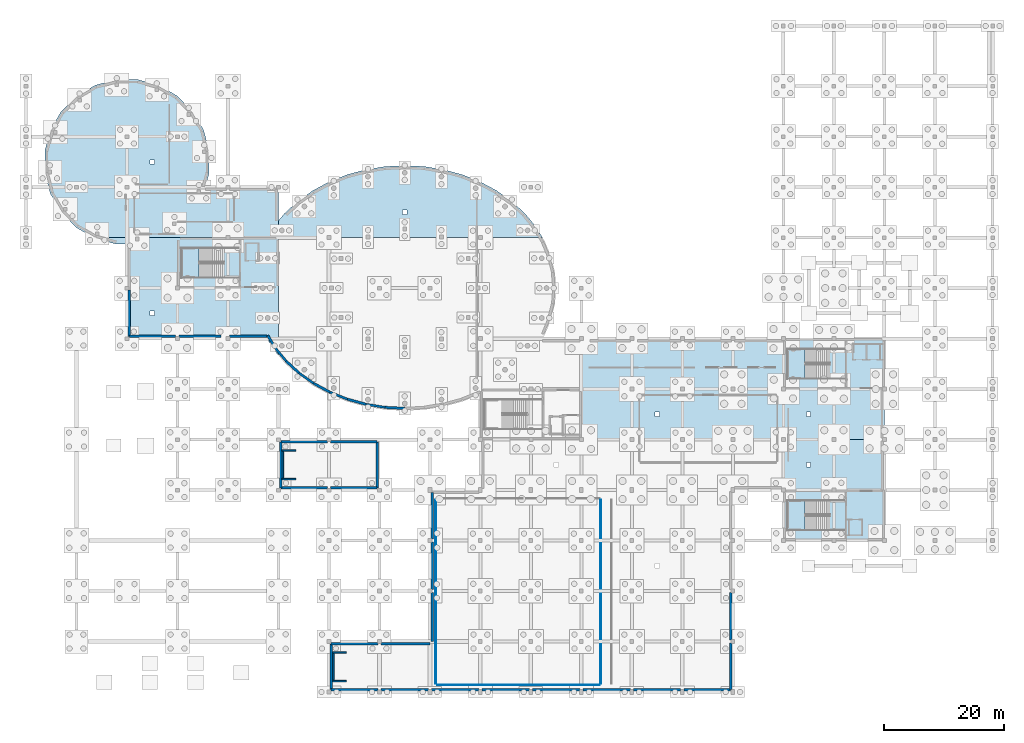
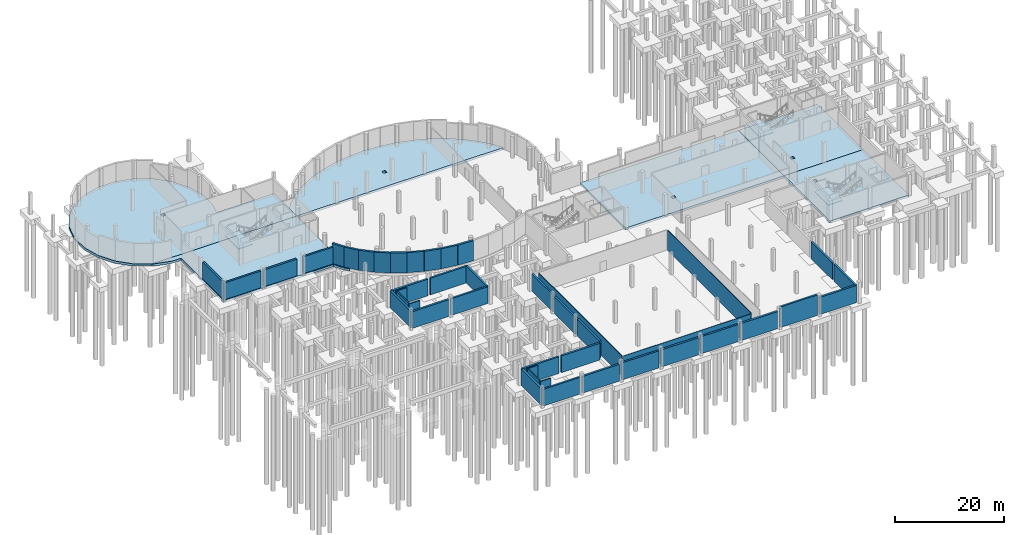
# One storey, part 13 of 24: 44 walls, 9 slabs, 3 elements without a shape of their own.
"""IFC4 building model written with IfcOpenShell, lengths in metres."""

from ifc_helpers import new_model, si_unit, derived_unit, direction, frame, frame_2d, origin, place, context, subcontext, project, spatial, polyline, rectangle, outline, extrude, material, layer, layer_set, type_object, element, aggregate, save


model = new_model("IFC4")

# Units and contexts
model_context = context("Model", 3, precision=1e-05, world=origin(), true_north=direction((0.0, 1.0)))
body_context = subcontext(model_context, "Body", "Model", "MODEL_VIEW")
ifc_project = project(units=[si_unit("LENGTHUNIT", "METRE"), si_unit("AREAUNIT", "SQUARE_METRE"), si_unit("VOLUMEUNIT", "CUBIC_METRE"), si_unit("PLANEANGLEUNIT", "RADIAN"), si_unit("MASSUNIT", "GRAM", prefix="KILO"), derived_unit("THERMALTRANSMITTANCEUNIT", [(si_unit("POWERUNIT", "WATT"), 1), (si_unit("LENGTHUNIT", "METRE"), -2), (si_unit("THERMODYNAMICTEMPERATUREUNIT", "KELVIN"), -1)])], contexts=[model_context])

# Site, building, storey
site_placement = place(None, origin())
site = spatial("IfcSite", under=ifc_project, at=site_placement, CompositionType="ELEMENT")
building_placement = place(site_placement, origin())
building = spatial("IfcBuilding", under=site, at=building_placement, Name="Elbkamm Science Centre", CompositionType="ELEMENT")
storey_placement = place(building_placement, frame((0.0, 0.0, -4.800048828125)))
storey = spatial("IfcBuildingStorey", under=building, at=storey_placement, Name="B01", CompositionType="ELEMENT", Elevation=-4.800048828125)

# Slabs
ifc_material_1 = material(Name="Waterproof concrete C35/45", Category="concrete")
ifc_layer_1 = layer(ifc_material_1, 0.5)
ifc_layer_set_1 = layer_set([ifc_layer_1], Name="Waterproof concrete C35/45")
slab_type_1 = type_object("IfcSlabType", Name="SLAB-BASE-500", PredefinedType="BASESLAB", material=ifc_layer_set_1)
slab_1_placement = place(storey_placement, frame((0.0, 0.0, -0.5)))
element("IfcSlab", 1, at=slab_1_placement, inside=storey, type_object=slab_type_1, Name="B01 Structural Slab WM-01", PredefinedType="BASESLAB", context=body_context, shape_type="SweptSolid", body=[
    extrude(outline(polyline([(40.07958984375, 58.800048828125), (16.800048828125, 58.800048828125), (16.800048828125, 74.51806640625), (14.998779296875, 74.51806640625), (11.51904296875, 75.450439453125), (11.260009765625, 75.60009765625), (42.0, 75.60009765625), (42.0, 56.001953125), (41.17626953125, 57.0), (40.07958984375, 58.800048828125)]), holes=[polyline([(21.35009765625, 63.35009765625), (20.64990234375, 63.35009765625), (20.64990234375, 62.64990234375), (21.35009765625, 62.64990234375), (21.35009765625, 63.35009765625)])]), origin(), (0.0, 0.0, 1.0), 0.5),
])
slab_2_placement = place(storey_placement, frame((0.0, 0.0, -0.5)))
element("IfcSlab", 2, at=slab_2_placement, inside=storey, type_object=slab_type_1, Name="B01 Structural Slab WN-02", PredefinedType="BASESLAB", context=body_context, shape_type="SweptSolid", body=[
    extrude(outline(polyline([(5.851806640625, 79.799072265625), (4.050537109375, 82.9189453125), (3.1181640625, 86.398681640625), (3.1181640625, 90.001220703125), (4.050537109375, 93.48095703125), (5.851806640625, 96.600830078125), (8.399169921875, 99.148193359375), (11.51904296875, 100.949462890625), (14.998779296875, 101.8818359375), (18.601318359375, 101.8818359375), (22.0810546875, 100.949462890625), (25.200927734375, 99.148193359375), (27.748291015625, 96.600830078125), (29.549560546875, 93.48095703125), (30.48193359375, 90.001220703125), (30.48193359375, 86.398681640625), (29.839111328125, 84.0), (42.0, 84.0), (42.0, 78.398193359375), (42.0, 75.60009765625), (11.260009765625, 75.60009765625), (8.399169921875, 77.251708984375), (5.851806640625, 79.799072265625)]), holes=[polyline([(21.35009765625, 88.550048828125), (20.64990234375, 88.550048828125), (20.64990234375, 87.85009765625), (21.35009765625, 87.85009765625), (21.35009765625, 88.550048828125)])]), origin(), (0.0, 0.0, 1.0), 0.5),
])
slab_3_placement = place(storey_placement, frame((0.0, 0.0, -0.5)))
element("IfcSlab", 3, at=slab_3_placement, inside=storey, type_object=slab_type_1, Name="B01 Structural Slab CN-06", PredefinedType="BASESLAB", context=body_context, shape_type="SweptSolid", body=[
    extrude(outline(polyline([(45.180908203125, 81.625), (47.6591796875, 83.384521484375), (50.39990234375, 84.866943359375), (53.3564453125, 86.047119140625), (56.477783203125, 86.90478515625), (59.710693359375, 87.425537109375), (63.0, 87.60009765625), (66.289306640625, 87.425537109375), (69.522216796875, 86.90478515625), (72.6435546875, 86.047119140625), (75.60009765625, 84.866943359375), (78.3408203125, 83.384521484375), (80.819091796875, 81.625), (82.992431640625, 79.61865234375), (84.82373046875, 77.39990234375), (85.92041015625, 75.60009765625), (42.0, 75.60009765625), (42.0, 78.398193359375), (43.007568359375, 79.61865234375), (45.180908203125, 81.625)]), holes=[polyline([(63.35009765625, 80.14990234375), (62.64990234375, 80.14990234375), (62.64990234375, 79.449951171875), (63.35009765625, 79.449951171875), (63.35009765625, 80.14990234375)])]), origin(), (0.0, 0.0, 1.0), 0.5),
])
slab_4_placement = place(storey_placement, frame((0.0, 0.0, -0.5)))
element("IfcSlab", 4, at=slab_4_placement, inside=storey, type_object=slab_type_1, Name="B01 Structural Slab MM-08", PredefinedType="BASESLAB", context=body_context, shape_type="SweptSolid", body=[
    extrude(outline(polyline([(125.97509765625, 42.0), (92.39990234375, 42.0), (92.39990234375, 58.800048828125), (125.97509765625, 58.800048828125), (125.97509765625, 42.0)]), holes=[polyline([(105.35009765625, 46.550048828125), (104.64990234375, 46.550048828125), (104.64990234375, 45.85009765625), (105.35009765625, 45.85009765625), (105.35009765625, 46.550048828125)])]), origin(), (0.0, 0.0, 1.0), 0.5),
])
slab_5_placement = place(storey_placement, frame((0.0, 0.0, -0.5)))
element("IfcSlab", 5, at=slab_5_placement, inside=storey, type_object=slab_type_1, Name="B01 Structural Slab E1S-09", PredefinedType="BASESLAB", context=body_context, shape_type="SweptSolid", body=[
    extrude(outline(polyline([(142.800048828125, 25.199951171875), (126.02490234375, 25.199951171875), (126.02490234375, 42.0), (142.800048828125, 42.0), (142.800048828125, 33.60009765625), (142.800048828125, 25.199951171875)]), holes=[polyline([(130.550048828125, 38.14990234375), (129.85009765625, 38.14990234375), (129.85009765625, 37.449951171875), (130.550048828125, 37.449951171875), (130.550048828125, 38.14990234375)])]), origin(), (0.0, 0.0, 1.0), 0.5),
])
slab_6_placement = place(storey_placement, frame((0.0, 0.0, -0.5)))
element("IfcSlab", 6, at=slab_6_placement, inside=storey, type_object=slab_type_1, Name="B01 Structural Slab E1M-10", PredefinedType="BASESLAB", context=body_context, shape_type="SweptSolid", body=[
    extrude(outline(polyline([(142.800048828125, 42.0), (126.02490234375, 42.0), (126.02490234375, 58.800048828125), (142.800048828125, 58.800048828125), (142.800048828125, 50.39990234375), (142.800048828125, 42.0)]), holes=[polyline([(130.550048828125, 46.550048828125), (129.85009765625, 46.550048828125), (129.85009765625, 45.85009765625), (130.550048828125, 45.85009765625), (130.550048828125, 46.550048828125)])]), origin(), (0.0, 0.0, 1.0), 0.5),
])

# Stair, slab
ifc_material_2 = material(Name="Reinforced concrete C40/50", Category="concrete")
stair_type = type_object("IfcStairType", Name="ST-TWO-28R-242", PredefinedType="USERDEFINED", material=ifc_material_2)
stair_1_placement = place(storey_placement, origin())
stair_1 = element("IfcStair", 7, at=stair_1_placement, inside=storey, type_object=stair_type, Name="B01 Core C1 Northwest Planetarium and Exhibition Core Escape Stair", ObjectType="TWO_RETURN_STAIR", PredefinedType="USERDEFINED")
ifc_layer_2 = layer(ifc_material_2, 0.199951171875)
ifc_layer_set_2 = layer_set([ifc_layer_2], Name="Reinforced concrete C40/50")
slab_type_2 = type_object("IfcSlabType", Name="SLAB-LAND-200", PredefinedType="LANDING", material=ifc_layer_set_2)
slab_7_placement = place(storey_placement, frame((0.0, 0.0, 2.199951171875)))
slab_7 = element("IfcSlab", 8, at=slab_7_placement, type_object=slab_type_2, Name="ST-C1 landing 1", PredefinedType="LANDING", context=body_context, shape_type="SweptSolid", body=[
    extrude(outline(polyline([(28.820068359375, 73.919921875), (25.800048828125, 73.919921875), (25.800048828125, 68.8798828125), (28.820068359375, 68.8798828125), (28.820068359375, 73.919921875)])), origin(), (0.0, 0.0, 1.0), 0.2001953125),
])
aggregate(stair_1, [slab_7])

stair_2_placement = place(storey_placement, origin())
stair_2 = element("IfcStair", 9, at=stair_2_placement, inside=storey, type_object=stair_type, Name="B01 Core C3 Northeast Laboratories and Observatory Core Escape Stair", ObjectType="TWO_RETURN_STAIR", PredefinedType="USERDEFINED")
slab_8_placement = place(storey_placement, frame((0.0, 0.0, 2.199951171875)))
slab_8 = element("IfcSlab", 10, at=slab_8_placement, type_object=slab_type_2, Name="ST-C3 landing 1", PredefinedType="LANDING", context=body_context, shape_type="SweptSolid", body=[
    extrude(outline(polyline([(129.6201171875, 57.1201171875), (126.60009765625, 57.1201171875), (126.60009765625, 52.080078125), (129.6201171875, 52.080078125), (129.6201171875, 57.1201171875)])), origin(), (0.0, 0.0, 1.0), 0.2001953125),
])
aggregate(stair_2, [slab_8])

stair_3_placement = place(storey_placement, origin())
stair_3 = element("IfcStair", 11, at=stair_3_placement, inside=storey, type_object=stair_type, Name="B01 Core C4 Southeast Workshops and Library Core Escape Stair", ObjectType="TWO_RETURN_STAIR", PredefinedType="USERDEFINED")
slab_9_placement = place(storey_placement, frame((0.0, 0.0, 2.199951171875)))
slab_9 = element("IfcSlab", 12, at=slab_9_placement, type_object=slab_type_2, Name="ST-C4 landing 1", PredefinedType="LANDING", context=body_context, shape_type="SweptSolid", body=[
    extrude(outline(polyline([(129.6201171875, 31.919921875), (126.60009765625, 31.919921875), (126.60009765625, 26.8798828125), (129.6201171875, 26.8798828125), (129.6201171875, 31.919921875)])), origin(), (0.0, 0.0, 1.0), 0.2001953125),
])
aggregate(stair_3, [slab_9])

# Walls
ifc_layer_3 = layer(ifc_material_2, 0.25)
ifc_layer_set_3 = layer_set([ifc_layer_3], Name="Reinforced concrete C40/50")
wall_type_1 = type_object("IfcWallType", Name="WL-CORE-250", PredefinedType="SHEAR", material=ifc_layer_set_3)
wall_1_placement = place(storey_placement, frame((42.739990234375, 35.6201171875, 0.0), z_axis=(0.0, 0.0, 1.0), x_axis=(0.0, 1.0, 0.0)))
element("IfcWall", 13, at=wall_1_placement, inside=storey, type_object=wall_type_1, Name="B01 ST-C5 Substructure Bearing Wall W", PredefinedType="SHEAR", context=body_context, shape_type="SweptSolid", body=[
    extrude(rectangle(XDim=4.35986328125, YDim=0.25, at=frame_2d((2.179931640625, 0.0))), origin(), (0.0, 0.0, 1.0), 4.5),
])
for number, where, z_axis, x_axis, name in (
    (14, (42.5849609375, 35.419921875, 0.0), (0.0, 0.0, 1.0), (1.0, 0.0, 0.0), "B01 ST-C5 Substructure Bearing Wall S"),
    (15, (42.5849609375, 40.179931640625, 0.0), (0.0, 0.0, 1.0), (1.0, 0.0, 0.0), "B01 ST-C5 Substructure Bearing Wall N"),
):
    element("IfcWall", number, at=place(storey_placement, frame(where, z_axis=z_axis, x_axis=x_axis)), inside=storey, type_object=wall_type_1, Name=name, PredefinedType="SHEAR", context=body_context, shape_type="SweptSolid", body=[
        extrude(rectangle(XDim=2.294921875, YDim=0.25, at=frame_2d((1.1474609375, 0.0))), origin(), (0.0, 0.0, 1.0), 4.5),
    ])
wall_2_placement = place(storey_placement, frame((51.139892578125, 2.02001953125, 0.0), z_axis=(0.0, 0.0, 1.0), x_axis=(0.0, 1.0, 0.0)))
element("IfcWall", 16, at=wall_2_placement, inside=storey, type_object=wall_type_1, Name="B01 ST-C6 Substructure Bearing Wall W", PredefinedType="SHEAR", context=body_context, shape_type="SweptSolid", body=[
    extrude(rectangle(XDim=4.35986328125, YDim=0.25, at=frame_2d((2.179931640625, 0.0))), origin(), (0.0, 0.0, 1.0), 4.5),
])
for number, where, z_axis, x_axis, name in (
    (17, (51.0048828125, 1.820068359375, 0.0), (0.0, 0.0, 1.0), (1.0, 0.0, 0.0), "B01 ST-C6 Substructure Bearing Wall S"),
    (18, (51.0048828125, 6.580078125, 0.0), (0.0, 0.0, 1.0), (1.0, 0.0, 0.0), "B01 ST-C6 Substructure Bearing Wall N"),
):
    element("IfcWall", number, at=place(storey_placement, frame(where, z_axis=z_axis, x_axis=x_axis)), inside=storey, type_object=wall_type_1, Name=name, PredefinedType="SHEAR", context=body_context, shape_type="SweptSolid", body=[
        extrude(rectangle(XDim=2.275146484375, YDim=0.25, at=frame_2d((1.1376953125, 0.0))), origin(), (0.0, 0.0, 1.0), 4.5),
    ])
ifc_material_3 = material(Name="Drywall service partition", Category="gypsum")
ifc_layer_4 = layer(ifc_material_3, 0.10009765625)
ifc_layer_set_4 = layer_set([ifc_layer_4], Name="Drywall service partition")
wall_type_2 = type_object("IfcWallType", Name="WL-PART-100", PredefinedType="PARTITIONING", material=ifc_layer_set_4)
wall_3_placement = place(storey_placement, frame((95.419921875, 1.199951171875, 0.0), z_axis=(0.0, 0.0, 1.0), x_axis=(-1.0, 0.0, 0.0)))
element("IfcWall", 19, at=wall_3_placement, inside=storey, type_object=wall_type_2, Name="B01 Heavy Exhibit Fabrication Workshop Partition 0003", PredefinedType="PARTITIONING", context=body_context, shape_type="SweptSolid", body=[
    extrude(rectangle(XDim=27.0400390625, YDim=0.10009765625, at=frame_2d((13.52001953125, 0.0))), origin(), (0.0, 0.0, 1.0), 4.5),
])
ifc_material_4 = material(Name="Lightweight metal-stud gypsum partition", Category="gypsum")
ifc_layer_5 = layer(ifc_material_4, 0.125)
ifc_layer_set_5 = layer_set([ifc_layer_5], Name="Lightweight metal-stud gypsum partition")
wall_type_3 = type_object("IfcWallType", Name="WL-PART-125", PredefinedType="PARTITIONING", material=ifc_layer_set_5)
wall_4_placement = place(storey_placement, frame((95.60009765625, 32.02001953125, 0.0), z_axis=(0.0, 0.0, 1.0), x_axis=(0.0, -1.0, 0.0)))
element("IfcWall", 20, at=wall_4_placement, inside=storey, type_object=wall_type_3, Name="B01 Heavy Exhibit Fabrication Workshop Partition 0002", PredefinedType="PARTITIONING", context=body_context, shape_type="SweptSolid", body=[
    extrude(rectangle(XDim=30.64013671875, YDim=0.125, at=frame_2d((15.320068359375, 0.0))), origin(), (0.0, 0.0, 1.0), 4.5),
])
ifc_material_5 = material(Name="Acoustic metal-stud gypsum partition", Category="gypsum")
ifc_layer_6 = layer(ifc_material_5, 0.159912109375)
ifc_layer_set_6 = layer_set([ifc_layer_6], Name="Acoustic metal-stud gypsum partition")
wall_type_4 = type_object("IfcWallType", Name="WL-PART-160", PredefinedType="PARTITIONING", material=ifc_layer_set_6)
wall_5_placement = place(storey_placement, frame((68.199951171875, 1.3798828125, 0.0), z_axis=(0.0, 0.0, 1.0), x_axis=(0.0, 1.0, 0.0)))
element("IfcWall", 21, at=wall_5_placement, inside=storey, type_object=wall_type_4, Name="B01 Heavy Exhibit Fabrication Workshop Partition 0004", PredefinedType="PARTITIONING", context=body_context, shape_type="SweptSolid", body=[
    extrude(rectangle(XDim=30.64013671875, YDim=0.159912109375, at=frame_2d((15.320068359375, 0.0))), origin(), (0.0, 0.0, 1.0), 4.5),
])
ifc_layer_7 = layer(ifc_material_1, 0.3798828125)
ifc_layer_set_7 = layer_set([ifc_layer_7], Name="Waterproof concrete C35/45")
wall_type_5 = type_object("IfcWallType", Name="WL-RET-380", PredefinedType="USERDEFINED", material=ifc_layer_set_7)
wall_6_placement = place(storey_placement, frame((67.580078125, 8.39990234375, 0.0), z_axis=(0.0, 0.0, 1.0), x_axis=(0.0, 1.0, 0.0)))
element("IfcWall", 22, at=wall_6_placement, inside=storey, type_object=wall_type_5, Name="B01 Exterior Wall 0001", ObjectType="RETAININGWALL", PredefinedType="USERDEFINED", context=body_context, shape_type="SweptSolid", body=[
    extrude(rectangle(XDim=8.160888671875, YDim=0.3798828125, at=frame_2d((4.08056640625, 0.0))), origin(), (0.0, 0.0, 1.0), 3.85009765625),
])
wall_7_placement = place(storey_placement, frame((67.580078125, 25.439208984375, 0.0), z_axis=(0.0, 0.0, 1.0), x_axis=(0.0, 1.0, 0.0)))
element("IfcWall", 23, at=wall_7_placement, inside=storey, type_object=wall_type_5, Name="B01 Exterior Wall 0003", ObjectType="RETAININGWALL", PredefinedType="USERDEFINED", context=body_context, shape_type="SweptSolid", body=[
    extrude(rectangle(XDim=7.78076171875, YDim=0.3798828125, at=frame_2d((3.890380859375, 0.0))), origin(), (0.0, 0.0, 1.0), 3.85009765625),
])
wall_8_placement = place(storey_placement, frame((59.751220703125, 47.352783203125, 0.0), z_axis=(0.0, 0.0, 1.0), x_axis=(-0.987278994565, 0.158997443034, 0.0)))
element("IfcWall", 24, at=wall_8_placement, inside=storey, type_object=wall_type_5, Name="B01 Exterior Wall 0011", ObjectType="RETAININGWALL", PredefinedType="USERDEFINED", context=body_context, shape_type="SweptSolid", body=[
    extrude(rectangle(XDim=3.233642578125, YDim=0.3798828125, at=frame_2d((1.61669921875, 0.0))), origin(), (0.0, 0.0, 1.0), 4.5),
])
wall_9_placement = place(storey_placement, frame((53.4775390625, 48.713623046875, 0.0), z_axis=(0.0, 0.0, 1.0), x_axis=(-0.928744558403, 0.370720305941, 0.0)))
element("IfcWall", 25, at=wall_9_placement, inside=storey, type_object=wall_type_5, Name="B01 Exterior Wall 0013", ObjectType="RETAININGWALL", PredefinedType="USERDEFINED", context=body_context, shape_type="SweptSolid", body=[
    extrude(rectangle(XDim=3.139892578125, YDim=0.3798828125, at=frame_2d((1.56982421875, 0.0))), origin(), (0.0, 0.0, 1.0), 4.5),
])
wall_10_placement = place(storey_placement, frame((47.8603515625, 51.3388671875, 0.0), z_axis=(0.0, 0.0, 1.0), x_axis=(-0.815422656684, 0.578866038879, 0.0)))
element("IfcWall", 26, at=wall_10_placement, inside=storey, type_object=wall_type_5, Name="B01 Exterior Wall 0015", ObjectType="RETAININGWALL", PredefinedType="USERDEFINED", context=body_context, shape_type="SweptSolid", body=[
    extrude(rectangle(XDim=2.991943359375, YDim=0.3798828125, at=frame_2d((1.49609375, 0.0))), origin(), (0.0, 0.0, 1.0), 4.5),
])
wall_11_placement = place(storey_placement, frame((43.2841796875, 55.043212890625, 0.0), z_axis=(0.0, 0.0, 1.0), x_axis=(-0.636588707479, 0.771203486448, 0.0)))
element("IfcWall", 27, at=wall_11_placement, inside=storey, type_object=wall_type_5, Name="B01 Exterior Wall 0017", ObjectType="RETAININGWALL", PredefinedType="USERDEFINED", context=body_context, shape_type="SweptSolid", body=[
    extrude(rectangle(XDim=2.82373046875, YDim=0.3798828125, at=frame_2d((1.411865234375, 0.0))), origin(), (0.0, 0.0, 1.0), 4.5),
])
wall_12_placement = place(storey_placement, frame((40.07958984375, 59.179931640625, 0.0), z_axis=(0.0, 0.0, 1.0), x_axis=(-1.0, 0.0, 0.0)))
element("IfcWall", 28, at=wall_12_placement, inside=storey, type_object=wall_type_5, Name="B01 Exterior Wall 0019", ObjectType="RETAININGWALL", PredefinedType="USERDEFINED", context=body_context, shape_type="SweptSolid", body=[
    extrude(rectangle(XDim=6.240478515625, YDim=0.3798828125, at=frame_2d((3.1201171875, 0.0))), origin(), (0.0, 0.0, 1.0), 3.75),
])
wall_13_placement = place(storey_placement, frame((24.847900390625, 59.179931640625, 0.0), z_axis=(0.0, 0.0, 1.0), x_axis=(-1.0, 0.0, 0.0)))
element("IfcWall", 29, at=wall_13_placement, inside=storey, type_object=wall_type_5, Name="B01 Exterior Wall 0021", ObjectType="RETAININGWALL", PredefinedType="USERDEFINED", context=body_context, shape_type="SweptSolid", body=[
    extrude(rectangle(XDim=7.66796875, YDim=0.3798828125, at=frame_2d((3.833984375, 0.0))), origin(), (0.0, 0.0, 1.0), 3.75),
])
wall_14_placement = place(storey_placement, frame((117.219970703125, 8.160888671875, 0.0), z_axis=(0.0, 0.0, 1.0), x_axis=(0.0, -1.0, 0.0)))
element("IfcWall", 30, at=wall_14_placement, inside=storey, type_object=wall_type_5, Name="B01 Exterior Wall 0079", ObjectType="RETAININGWALL", PredefinedType="USERDEFINED", context=body_context, shape_type="SweptSolid", body=[
    extrude(rectangle(XDim=7.781005859375, YDim=0.3798828125, at=frame_2d((3.890625, 0.0))), origin(), (0.0, 0.0, 1.0), 3.85009765625),
])
wall_15_placement = place(storey_placement, frame((108.9150390625, 0.3798828125, 0.0), z_axis=(0.0, 0.0, 1.0), x_axis=(-1.0, 0.0, 0.0)))
element("IfcWall", 31, at=wall_15_placement, inside=storey, type_object=wall_type_5, Name="B01 Exterior Wall 0081", ObjectType="RETAININGWALL", PredefinedType="USERDEFINED", context=body_context, shape_type="SweptSolid", body=[
    extrude(rectangle(XDim=7.8759765625, YDim=0.3798828125, at=frame_2d((3.93798828125, 0.0))), origin(), (0.0, 0.0, 1.0), 4.610107421875),
])
wall_16_placement = place(storey_placement, frame((92.160888671875, 0.3798828125, 0.0), z_axis=(0.0, 0.0, 1.0), x_axis=(-1.0, 0.0, 0.0)))
element("IfcWall", 32, at=wall_16_placement, inside=storey, type_object=wall_type_5, Name="B01 Exterior Wall 0083", ObjectType="RETAININGWALL", PredefinedType="USERDEFINED", context=body_context, shape_type="SweptSolid", body=[
    extrude(rectangle(XDim=7.921875, YDim=0.3798828125, at=frame_2d((3.9609375, 0.0))), origin(), (0.0, 0.0, 1.0), 3.85009765625),
])
wall_17_placement = place(storey_placement, frame((75.36083984375, 0.3798828125, 0.0), z_axis=(0.0, 0.0, 1.0), x_axis=(-1.0, 0.0, 0.0)))
element("IfcWall", 33, at=wall_17_placement, inside=storey, type_object=wall_type_5, Name="B01 Exterior Wall 0085", ObjectType="RETAININGWALL", PredefinedType="USERDEFINED", context=body_context, shape_type="SweptSolid", body=[
    extrude(rectangle(XDim=7.921630859375, YDim=0.3798828125, at=frame_2d((3.9609375, 0.0))), origin(), (0.0, 0.0, 1.0), 3.85009765625),
])
for number, where, z_axis, x_axis, name in (
    (34, (58.560791015625, 0.3798828125, 0.0), (0.0, 0.0, 1.0), (-1.0, 0.0, 0.0), "B01 Exterior Wall 0087"),
    (35, (50.780029296875, 8.02001953125, 0.0), (0.0, 0.0, 1.0), (1.0, 0.0, 0.0), "B01 Exterior Wall 0089"),
    (36, (58.419921875, 33.97998046875, 0.0), (0.0, 0.0, 1.0), (-1.0, 0.0, 0.0), "B01 Exterior Wall 0091"),
):
    element("IfcWall", number, at=place(storey_placement, frame(where, z_axis=z_axis, x_axis=x_axis)), inside=storey, type_object=wall_type_5, Name=name, ObjectType="RETAININGWALL", PredefinedType="USERDEFINED", context=body_context, shape_type="SweptSolid", body=[
        extrude(rectangle(XDim=7.78076171875, YDim=0.3798828125, at=frame_2d((3.890380859375, 0.0))), origin(), (0.0, 0.0, 1.0), 3.75),
    ])
wall_18_placement = place(storey_placement, frame((42.3798828125, 33.97998046875, 0.0), z_axis=(0.0, 0.0, 1.0), x_axis=(0.0, 1.0, 0.0)))
element("IfcWall", 37, at=wall_18_placement, inside=storey, type_object=wall_type_5, Name="B01 Exterior Wall 0093", ObjectType="RETAININGWALL", PredefinedType="USERDEFINED", context=body_context, shape_type="SweptSolid", body=[
    extrude(rectangle(XDim=7.64013671875, YDim=0.3798828125, at=frame_2d((3.820068359375, 0.0))), origin(), (0.0, 0.0, 1.0), 3.75),
])
wall_19_placement = place(storey_placement, frame((50.63916015625, 41.6201171875, 0.0), z_axis=(0.0, 0.0, 1.0), x_axis=(1.0, 0.0, 0.0)))
element("IfcWall", 38, at=wall_19_placement, inside=storey, type_object=wall_type_5, Name="B01 Exterior Wall 0095", ObjectType="RETAININGWALL", PredefinedType="USERDEFINED", context=body_context, shape_type="SweptSolid", body=[
    extrude(rectangle(XDim=7.78076171875, YDim=0.3798828125, at=frame_2d((3.890380859375, 0.0))), origin(), (0.0, 0.0, 1.0), 3.75),
])
ifc_layer_8 = layer(ifc_material_1, 0.419921875)
ifc_layer_set_8 = layer_set([ifc_layer_8], Name="Waterproof concrete C35/45")
wall_type_6 = type_object("IfcWallType", Name="WL-RET-420", PredefinedType="USERDEFINED", material=ifc_layer_set_8)
wall_20_placement = place(storey_placement, frame((67.580078125, 17.0390625, 0.0), z_axis=(0.0, 0.0, 1.0), x_axis=(0.0, 1.0, 0.0)))
element("IfcWall", 39, at=wall_20_placement, inside=storey, type_object=wall_type_6, Name="B01 Exterior Wall 0002", ObjectType="RETAININGWALL", PredefinedType="USERDEFINED", context=body_context, shape_type="SweptSolid", body=[
    extrude(rectangle(XDim=7.90771484375, YDim=0.419921875, at=frame_2d((3.953857421875, 0.0))), origin(), (0.0, 0.0, 1.0), 3.75),
])
wall_21_placement = place(storey_placement, frame((63.0, 47.180419921875, 0.0), z_axis=(0.0, 0.0, 1.0), x_axis=(-0.998595559221, 0.052980270896, 0.0)))
element("IfcWall", 40, at=wall_21_placement, inside=storey, type_object=wall_type_6, Name="B01 Exterior Wall 0010", ObjectType="RETAININGWALL", PredefinedType="USERDEFINED", context=body_context, shape_type="SweptSolid", body=[
    extrude(rectangle(XDim=3.25341796875, YDim=0.419921875, at=frame_2d((1.626708984375, 0.0))), origin(), (0.0, 0.0, 1.0), 4.5),
])
wall_22_placement = place(storey_placement, frame((56.55859375, 47.866943359375, 0.0), z_axis=(0.0, 0.0, 1.0), x_axis=(-0.964254212891, 0.264978891466, 0.0)))
element("IfcWall", 41, at=wall_22_placement, inside=storey, type_object=wall_type_6, Name="B01 Exterior Wall 0012", ObjectType="RETAININGWALL", PredefinedType="USERDEFINED", context=body_context, shape_type="SweptSolid", body=[
    extrude(rectangle(XDim=3.1953125, YDim=0.419921875, at=frame_2d((1.59765625, 0.0))), origin(), (0.0, 0.0, 1.0), 4.5),
])
wall_23_placement = place(storey_placement, frame((50.561279296875, 49.877685546875, 0.0), z_axis=(0.0, 0.0, 1.0), x_axis=(-0.879540173415, 0.47582463508, 0.0)))
element("IfcWall", 42, at=wall_23_placement, inside=storey, type_object=wall_type_6, Name="B01 Exterior Wall 0014", ObjectType="RETAININGWALL", PredefinedType="USERDEFINED", context=body_context, shape_type="SweptSolid", body=[
    extrude(rectangle(XDim=3.07080078125, YDim=0.419921875, at=frame_2d((1.535400390625, 0.0))), origin(), (0.0, 0.0, 1.0), 4.5),
])
wall_24_placement = place(storey_placement, frame((45.420654296875, 53.07080078125, 0.0), z_axis=(0.0, 0.0, 1.0), x_axis=(-0.734755157667, 0.678332409872, 0.0)))
element("IfcWall", 43, at=wall_24_placement, inside=storey, type_object=wall_type_6, Name="B01 Exterior Wall 0016", ObjectType="RETAININGWALL", PredefinedType="USERDEFINED", context=body_context, shape_type="SweptSolid", body=[
    extrude(rectangle(XDim=2.90771484375, YDim=0.419921875, at=frame_2d((1.453857421875, 0.0))), origin(), (0.0, 0.0, 1.0), 4.5),
])
wall_25_placement = place(storey_placement, frame((41.486572265625, 57.220947265625, 0.0), z_axis=(0.0, 0.0, 1.0), x_axis=(-0.520247454907, 0.854015565234, 0.0)))
element("IfcWall", 44, at=wall_25_placement, inside=storey, type_object=wall_type_6, Name="B01 Exterior Wall 0018", ObjectType="RETAININGWALL", PredefinedType="USERDEFINED", context=body_context, shape_type="SweptSolid", body=[
    extrude(rectangle(XDim=2.4482421875, YDim=0.419921875, at=frame_2d((1.22412109375, 0.0))), origin(), (0.0, 0.0, 1.0), 4.5),
])
wall_26_placement = place(storey_placement, frame((32.4462890625, 59.179931640625, 0.0), z_axis=(0.0, 0.0, 1.0), x_axis=(-1.0, 0.0, 0.0)))
element("IfcWall", 45, at=wall_26_placement, inside=storey, type_object=wall_type_6, Name="B01 Exterior Wall 0020", ObjectType="RETAININGWALL", PredefinedType="USERDEFINED", context=body_context, shape_type="SweptSolid", body=[
    extrude(rectangle(XDim=7.007080078125, YDim=0.419921875, at=frame_2d((3.50341796875, 0.0))), origin(), (0.0, 0.0, 1.0), 3.75),
])
wall_27_placement = place(storey_placement, frame((17.179931640625, 59.179931640625, 0.0), z_axis=(0.0, 0.0, 1.0), x_axis=(0.0, 1.0, 0.0)))
element("IfcWall", 46, at=wall_27_placement, inside=storey, type_object=wall_type_6, Name="B01 Exterior Wall 0022", ObjectType="RETAININGWALL", PredefinedType="USERDEFINED", context=body_context, shape_type="SweptSolid", body=[
    extrude(rectangle(XDim=7.669189453125, YDim=0.419921875, at=frame_2d((3.83447265625, 0.0))), origin(), (0.0, 0.0, 1.0), 3.75),
])
wall_28_placement = place(storey_placement, frame((117.219970703125, 16.560791015625, 0.0), z_axis=(0.0, 0.0, 1.0), x_axis=(0.0, -1.0, 0.0)))
element("IfcWall", 47, at=wall_28_placement, inside=storey, type_object=wall_type_6, Name="B01 Exterior Wall 0078", ObjectType="RETAININGWALL", PredefinedType="USERDEFINED", context=body_context, shape_type="SweptSolid", body=[
    extrude(rectangle(XDim=7.875732421875, YDim=0.419921875, at=frame_2d((3.93798828125, 0.0))), origin(), (0.0, 0.0, 1.0), 3.75),
])
wall_29_placement = place(storey_placement, frame((117.219970703125, 0.3798828125, 0.0), z_axis=(0.0, 0.0, 1.0), x_axis=(-1.0, 0.0, 0.0)))
element("IfcWall", 48, at=wall_29_placement, inside=storey, type_object=wall_type_6, Name="B01 Exterior Wall 0080", ObjectType="RETAININGWALL", PredefinedType="USERDEFINED", context=body_context, shape_type="SweptSolid", body=[
    extrude(rectangle(XDim=7.78076171875, YDim=0.419921875, at=frame_2d((3.890380859375, 0.0))), origin(), (0.0, 0.0, 1.0), 3.85009765625),
])
wall_30_placement = place(storey_placement, frame((100.560791015625, 0.3798828125, 0.0), z_axis=(0.0, 0.0, 1.0), x_axis=(-1.0, 0.0, 0.0)))
element("IfcWall", 49, at=wall_30_placement, inside=storey, type_object=wall_type_6, Name="B01 Exterior Wall 0082", ObjectType="RETAININGWALL", PredefinedType="USERDEFINED", context=body_context, shape_type="SweptSolid", body=[
    extrude(rectangle(XDim=7.921630859375, YDim=0.419921875, at=frame_2d((3.9609375, 0.0))), origin(), (0.0, 0.0, 1.0), 3.85009765625),
])
wall_31_placement = place(storey_placement, frame((83.760986328125, 0.3798828125, 0.0), z_axis=(0.0, 0.0, 1.0), x_axis=(-1.0, 0.0, 0.0)))
element("IfcWall", 50, at=wall_31_placement, inside=storey, type_object=wall_type_6, Name="B01 Exterior Wall 0084", ObjectType="RETAININGWALL", PredefinedType="USERDEFINED", context=body_context, shape_type="SweptSolid", body=[
    extrude(rectangle(XDim=7.921875, YDim=0.419921875, at=frame_2d((3.9609375, 0.0))), origin(), (0.0, 0.0, 1.0), 3.85009765625),
])
wall_32_placement = place(storey_placement, frame((66.9609375, 0.3798828125, 0.0), z_axis=(0.0, 0.0, 1.0), x_axis=(-1.0, 0.0, 0.0)))
element("IfcWall", 51, at=wall_32_placement, inside=storey, type_object=wall_type_6, Name="B01 Exterior Wall 0086", ObjectType="RETAININGWALL", PredefinedType="USERDEFINED", context=body_context, shape_type="SweptSolid", body=[
    extrude(rectangle(XDim=7.8759765625, YDim=0.419921875, at=frame_2d((3.93798828125, 0.0))), origin(), (0.0, 0.0, 1.0), 3.75),
])
wall_33_placement = place(storey_placement, frame((50.780029296875, 0.3798828125, 0.0), z_axis=(0.0, 0.0, 1.0), x_axis=(0.0, 1.0, 0.0)))
element("IfcWall", 52, at=wall_33_placement, inside=storey, type_object=wall_type_6, Name="B01 Exterior Wall 0088", ObjectType="RETAININGWALL", PredefinedType="USERDEFINED", context=body_context, shape_type="SweptSolid", body=[
    extrude(rectangle(XDim=7.64013671875, YDim=0.419921875, at=frame_2d((3.820068359375, 0.0))), origin(), (0.0, 0.0, 1.0), 3.75),
])
wall_34_placement = place(storey_placement, frame((59.0390625, 8.02001953125, 0.0), z_axis=(0.0, 0.0, 1.0), x_axis=(1.0, 0.0, 0.0)))
element("IfcWall", 53, at=wall_34_placement, inside=storey, type_object=wall_type_6, Name="B01 Exterior Wall 0090", ObjectType="RETAININGWALL", PredefinedType="USERDEFINED", context=body_context, shape_type="SweptSolid", body=[
    extrude(rectangle(XDim=8.160888671875, YDim=0.419921875, at=frame_2d((4.08056640625, 0.0))), origin(), (0.0, 0.0, 1.0), 3.75),
])
for number, where, z_axis, x_axis, name in (
    (54, (50.160888671875, 33.97998046875, 0.0), (0.0, 0.0, 1.0), (-1.0, 0.0, 0.0), "B01 Exterior Wall 0092"),
    (55, (42.3798828125, 41.6201171875, 0.0), (0.0, 0.0, 1.0), (1.0, 0.0, 0.0), "B01 Exterior Wall 0094"),
):
    element("IfcWall", number, at=place(storey_placement, frame(where, z_axis=z_axis, x_axis=x_axis)), inside=storey, type_object=wall_type_6, Name=name, ObjectType="RETAININGWALL", PredefinedType="USERDEFINED", context=body_context, shape_type="SweptSolid", body=[
        extrude(rectangle(XDim=7.781005859375, YDim=0.419921875, at=frame_2d((3.890625, 0.0))), origin(), (0.0, 0.0, 1.0), 3.75),
    ])
wall_35_placement = place(storey_placement, frame((58.419921875, 41.6201171875, 0.0), z_axis=(0.0, 0.0, 1.0), x_axis=(0.0, -1.0, 0.0)))
element("IfcWall", 56, at=wall_35_placement, inside=storey, type_object=wall_type_6, Name="B01 Exterior Wall 0096", ObjectType="RETAININGWALL", PredefinedType="USERDEFINED", context=body_context, shape_type="SweptSolid", body=[
    extrude(rectangle(XDim=7.64013671875, YDim=0.419921875, at=frame_2d((3.820068359375, 0.0))), origin(), (0.0, 0.0, 1.0), 3.85009765625),
])

save(model, "model.ifc")
